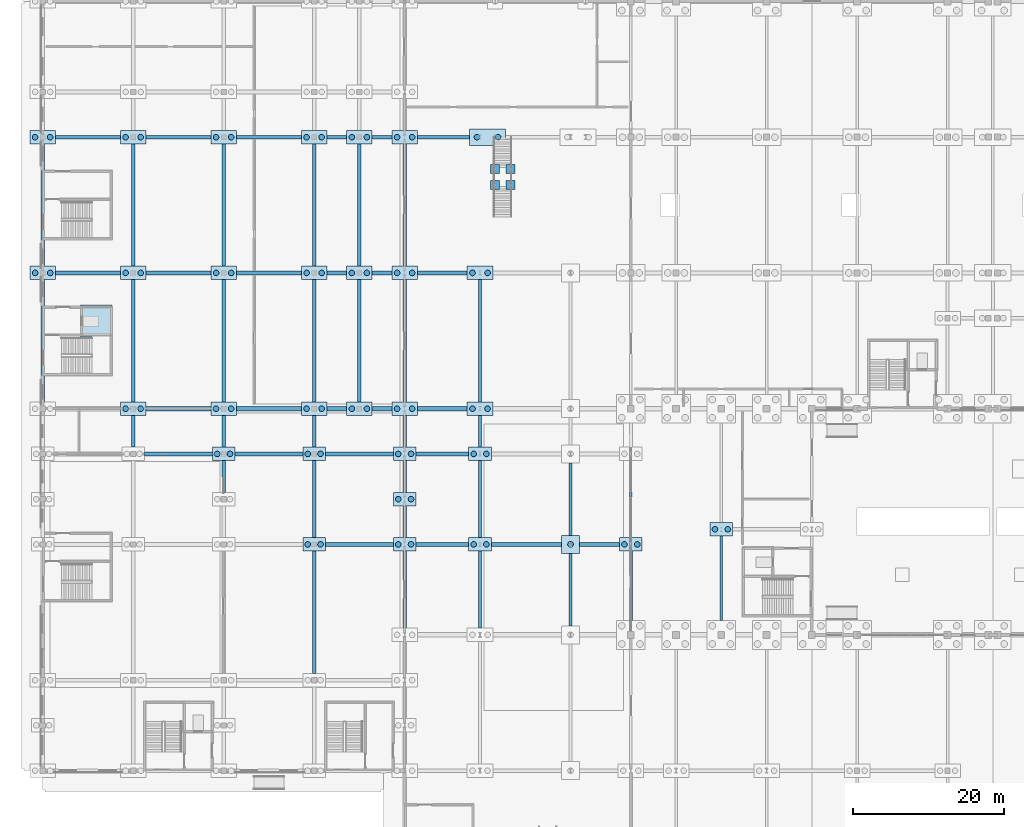
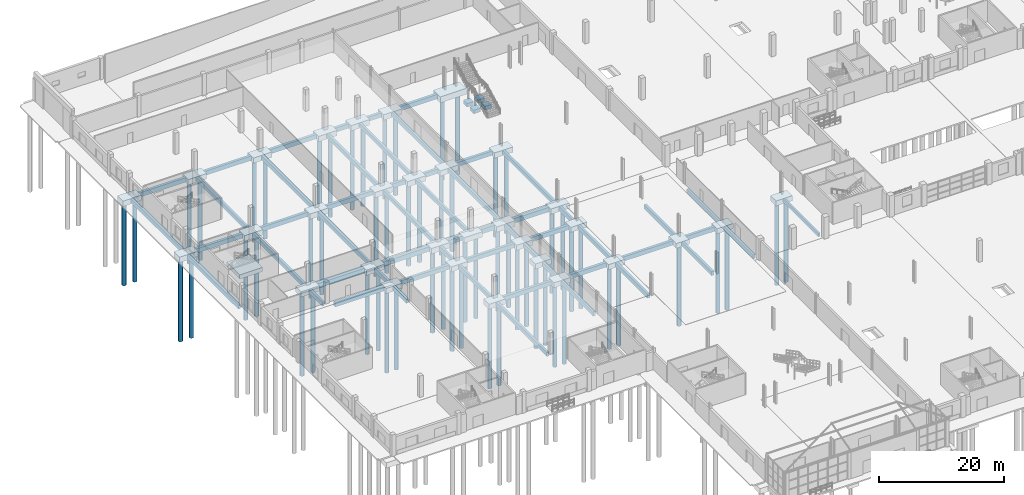
# One storey, part 3 of 77: 92 footings, 61 piles.
"""IFC4 building model written with IfcOpenShell, lengths in metres."""

from ifc_helpers import new_model, si_unit, direction, frame, origin, origin_2d, place, context, subcontext, project, spatial, rectangle, circle, extrude, material, material_profile, profile_set, type_object, element, save


model = new_model("IFC4")

# Units and contexts
model_context = context("Model", 3, precision=1e-05, world=origin(), true_north=direction((0.0, 1.0)))
body_context = subcontext(model_context, "Body", "Model", "MODEL_VIEW")
ifc_project = project(units=[si_unit("LENGTHUNIT", "METRE"), si_unit("AREAUNIT", "SQUARE_METRE"), si_unit("VOLUMEUNIT", "CUBIC_METRE"), si_unit("PLANEANGLEUNIT", "RADIAN"), si_unit("MASSUNIT", "GRAM", prefix="KILO")], contexts=[model_context])

# Site, building, storey
site_placement = place(None, origin())
site = spatial("IfcSite", under=ifc_project, at=site_placement, CompositionType="ELEMENT")
building_placement = place(site_placement, origin())
building = spatial("IfcBuilding", under=site, at=building_placement, Name="Zilviju Railside Exhibition Hall", CompositionType="ELEMENT")
storey_placement = place(building_placement, origin())
storey = spatial("IfcBuildingStorey", under=building, at=storey_placement, Name="L01", CompositionType="ELEMENT", Elevation=0.0)

# Footings
ifc_material_1 = material(Name="Concrete C35/45", Category="concrete")
footing_type_1 = type_object("IfcFootingType", Name="CAP-PC-03", PredefinedType="PILE_CAP", material=ifc_material_1)
for number, where, z_axis, x_axis, name in (
    (1, (12.0, 84.0, -1.4501953125), (0.0, 0.0, 1.0), (1.0, 0.0, 0.0), "Pile Cap FND-CAP-109"),
    (2, (24.0, 84.0, -1.4501953125), (0.0, 0.0, 1.0), (1.0, 0.0, 0.0), "Pile Cap FND-CAP-110"),
    (3, (36.0, 84.0, -1.4501953125), (0.0, 0.0, 1.0), (1.0, 0.0, 0.0), "Pile Cap FND-CAP-111"),
    (4, (42.0, 84.0, -1.4501953125), (0.0, 0.0, 1.0), (1.0, 0.0, 0.0), "Pile Cap FND-CAP-112"),
    (5, (48.0, 84.0, -1.4501953125), (0.0, 0.0, 1.0), (1.0, 0.0, 0.0), "Pile Cap FND-CAP-113"),
    (6, (58.0, 84.0, -1.4501953125), (0.0, 0.0, 1.0), (1.0, 0.0, 0.0), "Pile Cap FND-CAP-114"),
    (7, (0.0, 102.0, -1.4501953125), (0.0, 0.0, 1.0), (1.0, 0.0, 0.0), "Pile Cap FND-CAP-141"),
    (8, (12.0, 102.0, -1.4501953125), (0.0, 0.0, 1.0), (1.0, 0.0, 0.0), "Pile Cap FND-CAP-142"),
    (9, (24.0, 102.0, -1.4501953125), (0.0, 0.0, 1.0), (1.0, 0.0, 0.0), "Pile Cap FND-CAP-143"),
    (10, (36.0, 102.0, -1.4501953125), (0.0, 0.0, 1.0), (1.0, 0.0, 0.0), "Pile Cap FND-CAP-144"),
    (11, (42.0, 102.0, -1.4501953125), (0.0, 0.0, 1.0), (1.0, 0.0, 0.0), "Pile Cap FND-CAP-145"),
    (12, (48.0, 102.0, -1.4501953125), (0.0, 0.0, 1.0), (1.0, 0.0, 0.0), "Pile Cap FND-CAP-146"),
    (13, (58.0, 102.0, -1.4501953125), (0.0, 0.0, 1.0), (1.0, 0.0, 0.0), "Pile Cap FND-CAP-147"),
    (14, (0.0, 120.0, -1.4501953125), (0.0, 0.0, 1.0), (1.0, 0.0, 0.0), "Pile Cap FND-CAP-164"),
    (15, (12.0, 120.0, -1.4501953125), (0.0, 0.0, 1.0), (1.0, 0.0, 0.0), "Pile Cap FND-CAP-165"),
    (16, (24.0, 120.0, -1.4501953125), (0.0, 0.0, 1.0), (1.0, 0.0, 0.0), "Pile Cap FND-CAP-166"),
    (17, (36.0, 120.0, -1.4501953125), (0.0, 0.0, 1.0), (1.0, 0.0, 0.0), "Pile Cap FND-CAP-167"),
    (18, (42.0, 120.0, -1.4501953125), (0.0, 0.0, 1.0), (1.0, 0.0, 0.0), "Pile Cap FND-CAP-168"),
    (19, (48.0, 120.0, -1.4501953125), (0.0, 0.0, 1.0), (1.0, 0.0, 0.0), "Pile Cap FND-CAP-169"),
):
    element("IfcFooting", number, at=place(storey_placement, frame(where, z_axis=z_axis, x_axis=x_axis)), inside=storey, type_object=footing_type_1, Name=name, PredefinedType="PILE_CAP", context=body_context, shape_type="SweptSolid", body=[
        extrude(rectangle(XDim=3.39990234375, YDim=1.800048828125, at=origin_2d()), origin(), (0.0, 0.0, 1.0), 1.050048828125),
    ])
footing_type_2 = type_object("IfcFootingType", Name="CAP-PC-04", PredefinedType="PILE_CAP", material=ifc_material_1)
for number, where, z_axis, x_axis, name in (
    (20, (36.0, 66.0, -1.39990234375), (0.0, 0.0, 1.0), (1.0, 0.0, 0.0), "Pile Cap FND-CAP-090"),
    (21, (48.0, 66.0, -1.39990234375), (0.0, 0.0, 1.0), (1.0, 0.0, 0.0), "Pile Cap FND-CAP-091"),
    (22, (58.0, 66.0, -1.39990234375), (0.0, 0.0, 1.0), (1.0, 0.0, 0.0), "Pile Cap FND-CAP-092"),
    (23, (78.0, 66.0, -1.39990234375), (0.0, 0.0, 1.0), (1.0, 0.0, 0.0), "Pile Cap FND-CAP-094"),
    (24, (90.0, 68.0, -1.39990234375), (0.0, 0.0, 1.0), (1.0, 0.0, 0.0), "Pile Cap FND-CAP-095"),
    (25, (48.0, 72.0, -1.39990234375), (0.0, 0.0, 1.0), (1.0, 0.0, 0.0), "Pile Cap FND-CAP-099"),
    (26, (24.0, 78.0, -1.39990234375), (0.0, 0.0, 1.0), (1.0, 0.0, 0.0), "Pile Cap FND-CAP-102"),
    (27, (36.0, 78.0, -1.39990234375), (0.0, 0.0, 1.0), (1.0, 0.0, 0.0), "Pile Cap FND-CAP-103"),
    (28, (48.0, 78.0, -1.39990234375), (0.0, 0.0, 1.0), (1.0, 0.0, 0.0), "Pile Cap FND-CAP-104"),
    (29, (58.0, 78.0, -1.39990234375), (0.0, 0.0, 1.0), (1.0, 0.0, 0.0), "Pile Cap FND-CAP-105"),
):
    element("IfcFooting", number, at=place(storey_placement, frame(where, z_axis=z_axis, x_axis=x_axis)), inside=storey, type_object=footing_type_2, Name=name, PredefinedType="PILE_CAP", context=body_context, shape_type="SweptSolid", body=[
        extrude(rectangle(XDim=3.0, YDim=1.800048828125, at=origin_2d()), origin(), (0.0, 0.0, 1.0), 1.0),
    ])
footing_type_3 = type_object("IfcFootingType", Name="CAP-PC-07", PredefinedType="PILE_CAP", material=ifc_material_1)
footing_1_placement = place(storey_placement, frame((59.0, 120.0, -1.550048828125), z_axis=(0.0, 0.0, 1.0), x_axis=(1.0, 0.0, 0.0)))
element("IfcFooting", 30, at=footing_1_placement, inside=storey, type_object=footing_type_3, Name="Combined Pile Cap FND-CAP-170", PredefinedType="PILE_CAP", context=body_context, shape_type="SweptSolid", body=[
    extrude(rectangle(XDim=4.800048828125, YDim=2.199951171875, at=origin_2d()), origin(), (0.0, 0.0, 1.0), 1.14990234375),
])
footing_type_4 = type_object("IfcFootingType", Name="CAP-PC-08", PredefinedType="PILE_CAP", material=ifc_material_1)
footing_2_placement = place(storey_placement, frame((70.0, 66.0, -1.35009765625), z_axis=(0.0, 0.0, 1.0), x_axis=(1.0, 0.0, 0.0)))
element("IfcFooting", 31, at=footing_2_placement, inside=storey, type_object=footing_type_4, Name="Pile Cap FND-CAP-093", PredefinedType="PILE_CAP", context=body_context, shape_type="SweptSolid", body=[
    extrude(rectangle(XDim=2.39990234375, YDim=2.39990234375, at=origin_2d()), origin(), (0.0, 0.0, 1.0), 0.949951171875),
])
ifc_material_profile_1 = material_profile(ifc_material_1, rectangle(XDim=0.60009765625, YDim=0.89990234375, at=origin_2d()), Name="TIE BEAM 600x900")
ifc_profile_set_1 = profile_set([ifc_material_profile_1], Name="Concrete C35/45")
footing_type_5 = type_object("IfcFootingType", Name="GB-GB-01", PredefinedType="FOOTING_BEAM", material=ifc_profile_set_1)
for number, where, z_axis, x_axis, name in (
    (32, (13.699951171875, 84.0, -0.85009765625), (1.0, 0.0, 0.0), (0.0, 1.0, 0.0), "Ground Tie Beam GB-0091"),
    (33, (25.699951171875, 84.0, -0.85009765625), (1.0, 0.0, 0.0), (0.0, 1.0, 0.0), "Ground Tie Beam GB-0092"),
):
    element("IfcFooting", number, at=place(storey_placement, frame(where, z_axis=z_axis, x_axis=x_axis)), inside=storey, type_object=footing_type_5, Name=name, PredefinedType="FOOTING_BEAM", context=body_context, shape_type="SweptSolid", body=[
        extrude(rectangle(XDim=0.60009765625, YDim=0.89990234375, at=origin_2d()), origin(), (0.0, 0.0, 1.0), 8.60009765625),
    ])
for number, where, z_axis, x_axis, name in (
    (34, (37.699951171875, 84.0, -0.85009765625), (1.0, 0.0, 0.0), (0.0, 1.0, 0.0), "Ground Tie Beam GB-0093"),
    (35, (43.699951171875, 84.0, -0.85009765625), (1.0, 0.0, 0.0), (0.0, 1.0, 0.0), "Ground Tie Beam GB-0094"),
):
    element("IfcFooting", number, at=place(storey_placement, frame(where, z_axis=z_axis, x_axis=x_axis)), inside=storey, type_object=footing_type_5, Name=name, PredefinedType="FOOTING_BEAM", context=body_context, shape_type="SweptSolid", body=[
        extrude(rectangle(XDim=0.60009765625, YDim=0.89990234375, at=origin_2d()), origin(), (0.0, 0.0, 1.0), 2.60009765625),
    ])
footing_3_placement = place(storey_placement, frame((49.699951171875, 84.0, -0.85009765625), z_axis=(1.0, 0.0, 0.0), x_axis=(0.0, 1.0, 0.0)))
element("IfcFooting", 36, at=footing_3_placement, inside=storey, type_object=footing_type_5, Name="Ground Tie Beam GB-0095", PredefinedType="FOOTING_BEAM", context=body_context, shape_type="SweptSolid", body=[
    extrude(rectangle(XDim=0.60009765625, YDim=0.89990234375, at=origin_2d()), origin(), (0.0, 0.0, 1.0), 6.60009765625),
])
ifc_material_profile_2 = material_profile(ifc_material_1, rectangle(XDim=0.5, YDim=0.85009765625, at=origin_2d()), Name="TIE BEAM 500x850")
ifc_profile_set_2 = profile_set([ifc_material_profile_2], Name="Concrete C35/45")
footing_type_6 = type_object("IfcFootingType", Name="GB-GB-02", PredefinedType="FOOTING_BEAM", material=ifc_profile_set_2)
footing_4_placement = place(storey_placement, frame((37.5, 66.0, -0.824951171875), z_axis=(1.0, 0.0, 0.0), x_axis=(0.0, 1.0, 0.0)))
element("IfcFooting", 37, at=footing_4_placement, inside=storey, type_object=footing_type_6, Name="Ground Tie Beam GB-0078", PredefinedType="FOOTING_BEAM", context=body_context, shape_type="SweptSolid", body=[
    extrude(rectangle(XDim=0.5, YDim=0.85009765625, at=origin_2d()), origin(), (0.0, 0.0, 1.0), 9.0),
])
footing_5_placement = place(storey_placement, frame((49.5, 66.0, -0.824951171875), z_axis=(1.0, 0.0, 0.0), x_axis=(0.0, 1.0, 0.0)))
element("IfcFooting", 38, at=footing_5_placement, inside=storey, type_object=footing_type_6, Name="Ground Tie Beam GB-0079", PredefinedType="FOOTING_BEAM", context=body_context, shape_type="SweptSolid", body=[
    extrude(rectangle(XDim=0.5, YDim=0.85009765625, at=origin_2d()), origin(), (0.0, 0.0, 1.0), 7.0),
])
footing_6_placement = place(storey_placement, frame((59.5, 66.0, -0.824951171875), z_axis=(1.0, 0.0, 0.0), x_axis=(0.0, 1.0, 0.0)))
element("IfcFooting", 39, at=footing_6_placement, inside=storey, type_object=footing_type_6, Name="Ground Tie Beam GB-0080", PredefinedType="FOOTING_BEAM", context=body_context, shape_type="SweptSolid", body=[
    extrude(rectangle(XDim=0.5, YDim=0.85009765625, at=origin_2d()), origin(), (0.0, 0.0, 1.0), 9.300048828125),
])
footing_7_placement = place(storey_placement, frame((71.199951171875, 66.0, -0.824951171875), z_axis=(1.0, 0.0, 0.0), x_axis=(0.0, 1.0, 0.0)))
element("IfcFooting", 40, at=footing_7_placement, inside=storey, type_object=footing_type_6, Name="Ground Tie Beam GB-0081", PredefinedType="FOOTING_BEAM", context=body_context, shape_type="SweptSolid", body=[
    extrude(rectangle(XDim=0.5, YDim=0.85009765625, at=origin_2d()), origin(), (0.0, 0.0, 1.0), 5.300048828125),
])
for number, where, z_axis, x_axis, name in (
    (41, (13.5, 78.0, -0.824951171875), (1.0, 0.0, 0.0), (0.0, 1.0, 0.0), "Ground Tie Beam GB-0084"),
    (42, (25.5, 78.0, -0.824951171875), (1.0, 0.0, 0.0), (0.0, 1.0, 0.0), "Ground Tie Beam GB-0085"),
    (43, (37.5, 78.0, -0.824951171875), (1.0, 0.0, 0.0), (0.0, 1.0, 0.0), "Ground Tie Beam GB-0086"),
):
    element("IfcFooting", number, at=place(storey_placement, frame(where, z_axis=z_axis, x_axis=x_axis)), inside=storey, type_object=footing_type_6, Name=name, PredefinedType="FOOTING_BEAM", context=body_context, shape_type="SweptSolid", body=[
        extrude(rectangle(XDim=0.5, YDim=0.85009765625, at=origin_2d()), origin(), (0.0, 0.0, 1.0), 9.0),
    ])
footing_8_placement = place(storey_placement, frame((49.5, 78.0, -0.824951171875), z_axis=(1.0, 0.0, 0.0), x_axis=(0.0, 1.0, 0.0)))
element("IfcFooting", 44, at=footing_8_placement, inside=storey, type_object=footing_type_6, Name="Ground Tie Beam GB-0087", PredefinedType="FOOTING_BEAM", context=body_context, shape_type="SweptSolid", body=[
    extrude(rectangle(XDim=0.5, YDim=0.85009765625, at=origin_2d()), origin(), (0.0, 0.0, 1.0), 7.0),
])
for number, where, z_axis, x_axis, name in (
    (45, (1.699951171875, 102.0, -0.824951171875), (1.0, 0.0, 0.0), (0.0, 1.0, 0.0), "Ground Tie Beam GB-0121"),
    (46, (13.699951171875, 102.0, -0.824951171875), (1.0, 0.0, 0.0), (0.0, 1.0, 0.0), "Ground Tie Beam GB-0122"),
    (47, (25.699951171875, 102.0, -0.824951171875), (1.0, 0.0, 0.0), (0.0, 1.0, 0.0), "Ground Tie Beam GB-0123"),
):
    element("IfcFooting", number, at=place(storey_placement, frame(where, z_axis=z_axis, x_axis=x_axis)), inside=storey, type_object=footing_type_6, Name=name, PredefinedType="FOOTING_BEAM", context=body_context, shape_type="SweptSolid", body=[
        extrude(rectangle(XDim=0.5, YDim=0.85009765625, at=origin_2d()), origin(), (0.0, 0.0, 1.0), 8.60009765625),
    ])
for number, where, z_axis, x_axis, name in (
    (48, (37.699951171875, 102.0, -0.824951171875), (1.0, 0.0, 0.0), (0.0, 1.0, 0.0), "Ground Tie Beam GB-0124"),
    (49, (43.699951171875, 102.0, -0.824951171875), (1.0, 0.0, 0.0), (0.0, 1.0, 0.0), "Ground Tie Beam GB-0125"),
):
    element("IfcFooting", number, at=place(storey_placement, frame(where, z_axis=z_axis, x_axis=x_axis)), inside=storey, type_object=footing_type_6, Name=name, PredefinedType="FOOTING_BEAM", context=body_context, shape_type="SweptSolid", body=[
        extrude(rectangle(XDim=0.5, YDim=0.85009765625, at=origin_2d()), origin(), (0.0, 0.0, 1.0), 2.60009765625),
    ])
footing_9_placement = place(storey_placement, frame((49.699951171875, 102.0, -0.824951171875), z_axis=(1.0, 0.0, 0.0), x_axis=(0.0, 1.0, 0.0)))
element("IfcFooting", 50, at=footing_9_placement, inside=storey, type_object=footing_type_6, Name="Ground Tie Beam GB-0126", PredefinedType="FOOTING_BEAM", context=body_context, shape_type="SweptSolid", body=[
    extrude(rectangle(XDim=0.5, YDim=0.85009765625, at=origin_2d()), origin(), (0.0, 0.0, 1.0), 6.60009765625),
])
for number, where, z_axis, x_axis, name in (
    (51, (1.699951171875, 120.0, -0.824951171875), (1.0, 0.0, 0.0), (0.0, 1.0, 0.0), "Ground Tie Beam GB-0143"),
    (52, (13.699951171875, 120.0, -0.824951171875), (1.0, 0.0, 0.0), (0.0, 1.0, 0.0), "Ground Tie Beam GB-0144"),
    (53, (25.699951171875, 120.0, -0.824951171875), (1.0, 0.0, 0.0), (0.0, 1.0, 0.0), "Ground Tie Beam GB-0145"),
):
    element("IfcFooting", number, at=place(storey_placement, frame(where, z_axis=z_axis, x_axis=x_axis)), inside=storey, type_object=footing_type_6, Name=name, PredefinedType="FOOTING_BEAM", context=body_context, shape_type="SweptSolid", body=[
        extrude(rectangle(XDim=0.5, YDim=0.85009765625, at=origin_2d()), origin(), (0.0, 0.0, 1.0), 8.60009765625),
    ])
for number, where, z_axis, x_axis, name in (
    (54, (37.699951171875, 120.0, -0.824951171875), (1.0, 0.0, 0.0), (0.0, 1.0, 0.0), "Ground Tie Beam GB-0146"),
    (55, (43.699951171875, 120.0, -0.824951171875), (1.0, 0.0, 0.0), (0.0, 1.0, 0.0), "Ground Tie Beam GB-0147"),
):
    element("IfcFooting", number, at=place(storey_placement, frame(where, z_axis=z_axis, x_axis=x_axis)), inside=storey, type_object=footing_type_6, Name=name, PredefinedType="FOOTING_BEAM", context=body_context, shape_type="SweptSolid", body=[
        extrude(rectangle(XDim=0.5, YDim=0.85009765625, at=origin_2d()), origin(), (0.0, 0.0, 1.0), 2.60009765625),
    ])
footing_10_placement = place(storey_placement, frame((49.699951171875, 120.0, -0.824951171875), z_axis=(1.0, 0.0, 0.0), x_axis=(0.0, 1.0, 0.0)))
element("IfcFooting", 56, at=footing_10_placement, inside=storey, type_object=footing_type_6, Name="Ground Tie Beam GB-0148", PredefinedType="FOOTING_BEAM", context=body_context, shape_type="SweptSolid", body=[
    extrude(rectangle(XDim=0.5, YDim=0.85009765625, at=origin_2d()), origin(), (0.0, 0.0, 1.0), 6.900146484375),
])
ifc_material_profile_3 = material_profile(ifc_material_1, rectangle(XDim=0.449951171875, YDim=0.800048828125, at=origin_2d()), Name="TIE BEAM 450x800")
ifc_profile_set_3 = profile_set([ifc_material_profile_3], Name="Concrete C35/45")
footing_type_7 = type_object("IfcFootingType", Name="GB-GB-03", PredefinedType="FOOTING_BEAM", material=ifc_profile_set_3)
for number, where, z_axis, x_axis, name in (
    (57, (0.0, 84.89990234375, -0.800048828125), (0.0, 1.0, 0.0), (-1.0, 0.0, 0.0), "Ground Tie Beam GB-0215"),
    (58, (0.0, 102.89990234375, -0.800048828125), (0.0, 1.0, 0.0), (-1.0, 0.0, 0.0), "Ground Tie Beam GB-0216"),
):
    element("IfcFooting", number, at=place(storey_placement, frame(where, z_axis=z_axis, x_axis=x_axis)), inside=storey, type_object=footing_type_7, Name=name, PredefinedType="FOOTING_BEAM", context=body_context, shape_type="SweptSolid", body=[
        extrude(rectangle(XDim=0.449951171875, YDim=0.800048828125, at=origin_2d()), origin(), (0.0, 0.0, 1.0), 16.2001953125),
    ])
footing_11_placement = place(storey_placement, frame((12.0, 78.89990234375, -0.800048828125), z_axis=(0.0, 1.0, 0.0), x_axis=(-1.0, 0.0, 0.0)))
element("IfcFooting", 59, at=footing_11_placement, inside=storey, type_object=footing_type_7, Name="Ground Tie Beam GB-0223", PredefinedType="FOOTING_BEAM", context=body_context, shape_type="SweptSolid", body=[
    extrude(rectangle(XDim=0.449951171875, YDim=0.800048828125, at=origin_2d()), origin(), (0.0, 0.0, 1.0), 4.2001953125),
])
for number, where, z_axis, x_axis, name in (
    (60, (12.0, 84.89990234375, -0.800048828125), (0.0, 1.0, 0.0), (-1.0, 0.0, 0.0), "Ground Tie Beam GB-0224"),
    (61, (12.0, 102.89990234375, -0.800048828125), (0.0, 1.0, 0.0), (-1.0, 0.0, 0.0), "Ground Tie Beam GB-0225"),
):
    element("IfcFooting", number, at=place(storey_placement, frame(where, z_axis=z_axis, x_axis=x_axis)), inside=storey, type_object=footing_type_7, Name=name, PredefinedType="FOOTING_BEAM", context=body_context, shape_type="SweptSolid", body=[
        extrude(rectangle(XDim=0.449951171875, YDim=0.800048828125, at=origin_2d()), origin(), (0.0, 0.0, 1.0), 16.2001953125),
    ])
for number, where, z_axis, x_axis, name in (
    (62, (24.0, 72.89990234375, -0.800048828125), (0.0, 1.0, 0.0), (-1.0, 0.0, 0.0), "Ground Tie Beam GB-0233"),
    (63, (24.0, 78.89990234375, -0.800048828125), (0.0, 1.0, 0.0), (-1.0, 0.0, 0.0), "Ground Tie Beam GB-0234"),
):
    element("IfcFooting", number, at=place(storey_placement, frame(where, z_axis=z_axis, x_axis=x_axis)), inside=storey, type_object=footing_type_7, Name=name, PredefinedType="FOOTING_BEAM", context=body_context, shape_type="SweptSolid", body=[
        extrude(rectangle(XDim=0.449951171875, YDim=0.800048828125, at=origin_2d()), origin(), (0.0, 0.0, 1.0), 4.2001953125),
    ])
for number, where, z_axis, x_axis, name in (
    (64, (24.0, 84.89990234375, -0.800048828125), (0.0, 1.0, 0.0), (-1.0, 0.0, 0.0), "Ground Tie Beam GB-0235"),
    (65, (24.0, 102.89990234375, -0.800048828125), (0.0, 1.0, 0.0), (-1.0, 0.0, 0.0), "Ground Tie Beam GB-0236"),
    (66, (36.0, 48.89990234375, -0.800048828125), (0.0, 1.0, 0.0), (-1.0, 0.0, 0.0), "Ground Tie Beam GB-0241"),
):
    element("IfcFooting", number, at=place(storey_placement, frame(where, z_axis=z_axis, x_axis=x_axis)), inside=storey, type_object=footing_type_7, Name=name, PredefinedType="FOOTING_BEAM", context=body_context, shape_type="SweptSolid", body=[
        extrude(rectangle(XDim=0.449951171875, YDim=0.800048828125, at=origin_2d()), origin(), (0.0, 0.0, 1.0), 16.2001953125),
    ])
footing_12_placement = place(storey_placement, frame((36.0, 66.89990234375, -0.800048828125), z_axis=(0.0, 1.0, 0.0), x_axis=(-1.0, 0.0, 0.0)))
element("IfcFooting", 67, at=footing_12_placement, inside=storey, type_object=footing_type_7, Name="Ground Tie Beam GB-0242", PredefinedType="FOOTING_BEAM", context=body_context, shape_type="SweptSolid", body=[
    extrude(rectangle(XDim=0.449951171875, YDim=0.800048828125, at=origin_2d()), origin(), (0.0, 0.0, 1.0), 10.2001953125),
])
footing_13_placement = place(storey_placement, frame((36.0, 78.89990234375, -0.800048828125), z_axis=(0.0, 1.0, 0.0), x_axis=(-1.0, 0.0, 0.0)))
element("IfcFooting", 68, at=footing_13_placement, inside=storey, type_object=footing_type_7, Name="Ground Tie Beam GB-0243", PredefinedType="FOOTING_BEAM", context=body_context, shape_type="SweptSolid", body=[
    extrude(rectangle(XDim=0.449951171875, YDim=0.800048828125, at=origin_2d()), origin(), (0.0, 0.0, 1.0), 4.2001953125),
])
for number, where, z_axis, x_axis, name in (
    (69, (36.0, 84.89990234375, -0.800048828125), (0.0, 1.0, 0.0), (-1.0, 0.0, 0.0), "Ground Tie Beam GB-0244"),
    (70, (36.0, 102.89990234375, -0.800048828125), (0.0, 1.0, 0.0), (-1.0, 0.0, 0.0), "Ground Tie Beam GB-0245"),
    (71, (42.0, 84.89990234375, -0.800048828125), (0.0, 1.0, 0.0), (-1.0, 0.0, 0.0), "Ground Tie Beam GB-0249"),
    (72, (42.0, 102.89990234375, -0.800048828125), (0.0, 1.0, 0.0), (-1.0, 0.0, 0.0), "Ground Tie Beam GB-0250"),
):
    element("IfcFooting", number, at=place(storey_placement, frame(where, z_axis=z_axis, x_axis=x_axis)), inside=storey, type_object=footing_type_7, Name=name, PredefinedType="FOOTING_BEAM", context=body_context, shape_type="SweptSolid", body=[
        extrude(rectangle(XDim=0.449951171875, YDim=0.800048828125, at=origin_2d()), origin(), (0.0, 0.0, 1.0), 16.2001953125),
    ])
footing_14_placement = place(storey_placement, frame((48.0, 54.89990234375, -0.800048828125), z_axis=(0.0, 1.0, 0.0), x_axis=(-1.0, 0.0, 0.0)))
element("IfcFooting", 73, at=footing_14_placement, inside=storey, type_object=footing_type_7, Name="Ground Tie Beam GB-0259", PredefinedType="FOOTING_BEAM", context=body_context, shape_type="SweptSolid", body=[
    extrude(rectangle(XDim=0.449951171875, YDim=0.800048828125, at=origin_2d()), origin(), (0.0, 0.0, 1.0), 10.2001953125),
])
for number, where, z_axis, x_axis, name in (
    (74, (48.0, 66.89990234375, -0.800048828125), (0.0, 1.0, 0.0), (-1.0, 0.0, 0.0), "Ground Tie Beam GB-0260"),
    (75, (48.0, 72.89990234375, -0.800048828125), (0.0, 1.0, 0.0), (-1.0, 0.0, 0.0), "Ground Tie Beam GB-0261"),
    (76, (48.0, 78.89990234375, -0.800048828125), (0.0, 1.0, 0.0), (-1.0, 0.0, 0.0), "Ground Tie Beam GB-0262"),
):
    element("IfcFooting", number, at=place(storey_placement, frame(where, z_axis=z_axis, x_axis=x_axis)), inside=storey, type_object=footing_type_7, Name=name, PredefinedType="FOOTING_BEAM", context=body_context, shape_type="SweptSolid", body=[
        extrude(rectangle(XDim=0.449951171875, YDim=0.800048828125, at=origin_2d()), origin(), (0.0, 0.0, 1.0), 4.2001953125),
    ])
for number, where, z_axis, x_axis, name in (
    (77, (48.0, 84.89990234375, -0.800048828125), (0.0, 1.0, 0.0), (-1.0, 0.0, 0.0), "Ground Tie Beam GB-0263"),
    (78, (48.0, 102.89990234375, -0.800048828125), (0.0, 1.0, 0.0), (-1.0, 0.0, 0.0), "Ground Tie Beam GB-0264"),
):
    element("IfcFooting", number, at=place(storey_placement, frame(where, z_axis=z_axis, x_axis=x_axis)), inside=storey, type_object=footing_type_7, Name=name, PredefinedType="FOOTING_BEAM", context=body_context, shape_type="SweptSolid", body=[
        extrude(rectangle(XDim=0.449951171875, YDim=0.800048828125, at=origin_2d()), origin(), (0.0, 0.0, 1.0), 16.2001953125),
    ])
for number, where, z_axis, x_axis, name in (
    (79, (58.0, 54.89990234375, -0.800048828125), (0.0, 1.0, 0.0), (-1.0, 0.0, 0.0), "Ground Tie Beam GB-0269"),
    (80, (58.0, 66.89990234375, -0.800048828125), (0.0, 1.0, 0.0), (-1.0, 0.0, 0.0), "Ground Tie Beam GB-0270"),
):
    element("IfcFooting", number, at=place(storey_placement, frame(where, z_axis=z_axis, x_axis=x_axis)), inside=storey, type_object=footing_type_7, Name=name, PredefinedType="FOOTING_BEAM", context=body_context, shape_type="SweptSolid", body=[
        extrude(rectangle(XDim=0.449951171875, YDim=0.800048828125, at=origin_2d()), origin(), (0.0, 0.0, 1.0), 10.2001953125),
    ])
footing_15_placement = place(storey_placement, frame((58.0, 78.89990234375, -0.800048828125), z_axis=(0.0, 1.0, 0.0), x_axis=(-1.0, 0.0, 0.0)))
element("IfcFooting", 81, at=footing_15_placement, inside=storey, type_object=footing_type_7, Name="Ground Tie Beam GB-0271", PredefinedType="FOOTING_BEAM", context=body_context, shape_type="SweptSolid", body=[
    extrude(rectangle(XDim=0.449951171875, YDim=0.800048828125, at=origin_2d()), origin(), (0.0, 0.0, 1.0), 4.2001953125),
])
footing_16_placement = place(storey_placement, frame((58.0, 84.89990234375, -0.800048828125), z_axis=(0.0, 1.0, 0.0), x_axis=(-1.0, 0.0, 0.0)))
element("IfcFooting", 82, at=footing_16_placement, inside=storey, type_object=footing_type_7, Name="Ground Tie Beam GB-0272", PredefinedType="FOOTING_BEAM", context=body_context, shape_type="SweptSolid", body=[
    extrude(rectangle(XDim=0.449951171875, YDim=0.800048828125, at=origin_2d()), origin(), (0.0, 0.0, 1.0), 16.2001953125),
])
for number, where, z_axis, x_axis, name in (
    (83, (70.0, 55.199951171875, -0.800048828125), (0.0, 1.0, 0.0), (-1.0, 0.0, 0.0), "Ground Tie Beam GB-0276"),
    (84, (70.0, 67.199951171875, -0.800048828125), (0.0, 1.0, 0.0), (-1.0, 0.0, 0.0), "Ground Tie Beam GB-0277"),
):
    element("IfcFooting", number, at=place(storey_placement, frame(where, z_axis=z_axis, x_axis=x_axis)), inside=storey, type_object=footing_type_7, Name=name, PredefinedType="FOOTING_BEAM", context=body_context, shape_type="SweptSolid", body=[
        extrude(rectangle(XDim=0.449951171875, YDim=0.800048828125, at=origin_2d()), origin(), (0.0, 0.0, 1.0), 9.60009765625),
    ])
ifc_material_profile_4 = material_profile(ifc_material_1, rectangle(XDim=0.39990234375, YDim=0.75, at=origin_2d()), Name="TIE BEAM 400x750")
ifc_profile_set_4 = profile_set([ifc_material_profile_4], Name="Concrete C35/45")
footing_type_8 = type_object("IfcFootingType", Name="GB-GB-04", PredefinedType="FOOTING_BEAM", material=ifc_profile_set_4)
footing_17_placement = place(storey_placement, frame((78.0, 55.89990234375, -0.77490234375), z_axis=(0.0, 1.0, 0.0), x_axis=(-1.0, 0.0, 0.0)))
element("IfcFooting", 85, at=footing_17_placement, inside=storey, type_object=footing_type_8, Name="Ground Tie Beam GB-0286", PredefinedType="FOOTING_BEAM", context=body_context, shape_type="SweptSolid", body=[
    extrude(rectangle(XDim=0.39990234375, YDim=0.75, at=origin_2d()), origin(), (0.0, 0.0, 1.0), 9.2001953125),
])
ifc_material_profile_5 = material_profile(ifc_material_1, rectangle(XDim=0.35009765625, YDim=0.64990234375, at=origin_2d()), Name="TIE BEAM 350x650")
ifc_profile_set_5 = profile_set([ifc_material_profile_5], Name="Concrete C35/45")
footing_type_9 = type_object("IfcFootingType", Name="GB-GB-06", PredefinedType="FOOTING_BEAM", material=ifc_profile_set_5)
footing_18_placement = place(storey_placement, frame((78.0, 66.89990234375, -0.72509765625), z_axis=(0.0, 1.0, 0.0), x_axis=(-1.0, 0.0, 0.0)))
element("IfcFooting", 86, at=footing_18_placement, inside=storey, type_object=footing_type_9, Name="Ground Tie Beam GB-0287", PredefinedType="FOOTING_BEAM", context=body_context, shape_type="SweptSolid", body=[
    extrude(rectangle(XDim=0.35009765625, YDim=0.64990234375, at=origin_2d()), origin(), (0.0, 0.0, 1.0), 10.2001953125),
])
footing_19_placement = place(storey_placement, frame((90.0, 55.89990234375, -0.72509765625), z_axis=(0.0, 1.0, 0.0), x_axis=(-1.0, 0.0, 0.0)))
element("IfcFooting", 87, at=footing_19_placement, inside=storey, type_object=footing_type_9, Name="Ground Tie Beam GB-0299", PredefinedType="FOOTING_BEAM", context=body_context, shape_type="SweptSolid", body=[
    extrude(rectangle(XDim=0.35009765625, YDim=0.64990234375, at=origin_2d()), origin(), (0.0, 0.0, 1.0), 11.2001953125),
])
ifc_material_2 = material(Name="Concrete C40/50", Category="concrete")
footing_type_10 = type_object("IfcFootingType", Name="PAD-PF-01", PredefinedType="PAD_FOOTING", material=ifc_material_2)
footing_20_placement = place(storey_placement, frame((7.125, 95.625, -2.39990234375), z_axis=(0.0, 0.0, 1.0), x_axis=(1.0, 0.0, 0.0)))
element("IfcFooting", 88, at=footing_20_placement, inside=storey, type_object=footing_type_10, Name="Lift Pit Foundation Pad LP-06", PredefinedType="PAD_FOOTING", context=body_context, shape_type="SweptSolid", body=[
    extrude(rectangle(XDim=4.199951171875, YDim=4.199951171875, at=origin_2d()), origin(), (0.0, 0.0, 1.0), 0.800048828125),
])
footing_type_11 = type_object("IfcFootingType", Name="PAD-PF-11", PredefinedType="PAD_FOOTING", material=ifc_material_1)
for number, where, z_axis, x_axis, name in (
    (89, (59.97998046875, 113.64990234375, -1.1201171875), (0.0, 0.0, 1.0), (1.0, 0.0, 0.0), "Feature Stair ST18 Landing Pad 1"),
    (90, (62.02001953125, 113.64990234375, -1.1201171875), (0.0, 0.0, 1.0), (1.0, 0.0, 0.0), "Feature Stair ST18 Landing Pad 2"),
    (91, (59.97998046875, 115.7900390625, -1.1201171875), (0.0, 0.0, 1.0), (1.0, 0.0, 0.0), "Feature Stair ST18 Landing Pad 3"),
    (92, (62.02001953125, 115.7900390625, -1.1201171875), (0.0, 0.0, 1.0), (1.0, 0.0, 0.0), "Feature Stair ST18 Landing Pad 4"),
):
    element("IfcFooting", number, at=place(storey_placement, frame(where, z_axis=z_axis, x_axis=x_axis)), inside=storey, type_object=footing_type_11, Name=name, PredefinedType="PAD_FOOTING", context=body_context, shape_type="SweptSolid", body=[
        extrude(rectangle(XDim=1.199951171875, YDim=1.199951171875, at=origin_2d()), origin(), (0.0, 0.0, 1.0), 0.699951171875),
    ])

# Piles
ifc_material_profile_6 = material_profile(ifc_material_1, circle(Radius=0.375, at=origin_2d()), Name="CFA PILE D750")
ifc_profile_set_6 = profile_set([ifc_material_profile_6], Name="Concrete C35/45")
pile_type = type_object("IfcPileType", Name="PILE-PL-750", PredefinedType="BORED", material=ifc_profile_set_6)
for number, where, z_axis, x_axis, name in (
    (93, (35.14990234375, 66.0, -0.5), (0.0, 0.0, -1.0), (1.0, 0.0, 0.0), "Bored CFA Pile P-0235"),
    (94, (36.85009765625, 66.0, -0.5), (0.0, 0.0, -1.0), (1.0, 0.0, 0.0), "Bored CFA Pile P-0236"),
    (95, (47.14990234375, 66.0, -0.5), (0.0, 0.0, -1.0), (1.0, 0.0, 0.0), "Bored CFA Pile P-0237"),
    (96, (48.85009765625, 66.0, -0.5), (0.0, 0.0, -1.0), (1.0, 0.0, 0.0), "Bored CFA Pile P-0238"),
    (97, (57.14990234375, 66.0, -0.5), (0.0, 0.0, -1.0), (1.0, 0.0, 0.0), "Bored CFA Pile P-0239"),
    (98, (58.85009765625, 66.0, -0.5), (0.0, 0.0, -1.0), (1.0, 0.0, 0.0), "Bored CFA Pile P-0240"),
    (99, (70.0, 66.0, -0.5), (0.0, 0.0, -1.0), (1.0, 0.0, 0.0), "Bored CFA Pile P-0241"),
    (100, (77.14990234375, 66.0, -0.5), (0.0, 0.0, -1.0), (1.0, 0.0, 0.0), "Bored CFA Pile P-0242"),
    (101, (78.85009765625, 66.0, -0.5), (0.0, 0.0, -1.0), (1.0, 0.0, 0.0), "Bored CFA Pile P-0243"),
    (102, (89.14990234375, 68.0, -0.5), (0.0, 0.0, -1.0), (1.0, 0.0, 0.0), "Bored CFA Pile P-0244"),
    (103, (90.85009765625, 68.0, -0.5), (0.0, 0.0, -1.0), (1.0, 0.0, 0.0), "Bored CFA Pile P-0245"),
    (104, (47.14990234375, 72.0, -0.5), (0.0, 0.0, -1.0), (1.0, 0.0, 0.0), "Bored CFA Pile P-0252"),
    (105, (48.85009765625, 72.0, -0.5), (0.0, 0.0, -1.0), (1.0, 0.0, 0.0), "Bored CFA Pile P-0253"),
    (106, (23.14990234375, 78.0, -0.5), (0.0, 0.0, -1.0), (1.0, 0.0, 0.0), "Bored CFA Pile P-0258"),
    (107, (24.85009765625, 78.0, -0.5), (0.0, 0.0, -1.0), (1.0, 0.0, 0.0), "Bored CFA Pile P-0259"),
    (108, (35.14990234375, 78.0, -0.5), (0.0, 0.0, -1.0), (1.0, 0.0, 0.0), "Bored CFA Pile P-0260"),
    (109, (36.85009765625, 78.0, -0.5), (0.0, 0.0, -1.0), (1.0, 0.0, 0.0), "Bored CFA Pile P-0261"),
    (110, (47.14990234375, 78.0, -0.5), (0.0, 0.0, -1.0), (1.0, 0.0, 0.0), "Bored CFA Pile P-0262"),
    (111, (48.85009765625, 78.0, -0.5), (0.0, 0.0, -1.0), (1.0, 0.0, 0.0), "Bored CFA Pile P-0263"),
    (112, (57.14990234375, 78.0, -0.5), (0.0, 0.0, -1.0), (1.0, 0.0, 0.0), "Bored CFA Pile P-0264"),
    (113, (58.85009765625, 78.0, -0.5), (0.0, 0.0, -1.0), (1.0, 0.0, 0.0), "Bored CFA Pile P-0265"),
    (114, (11.0, 84.0, -0.5), (0.0, 0.0, -1.0), (1.0, 0.0, 0.0), "Bored CFA Pile P-0271"),
    (115, (13.0, 84.0, -0.5), (0.0, 0.0, -1.0), (1.0, 0.0, 0.0), "Bored CFA Pile P-0272"),
    (116, (23.0, 84.0, -0.5), (0.0, 0.0, -1.0), (1.0, 0.0, 0.0), "Bored CFA Pile P-0273"),
    (117, (25.0, 84.0, -0.5), (0.0, 0.0, -1.0), (1.0, 0.0, 0.0), "Bored CFA Pile P-0274"),
    (118, (35.0, 84.0, -0.5), (0.0, 0.0, -1.0), (1.0, 0.0, 0.0), "Bored CFA Pile P-0275"),
    (119, (37.0, 84.0, -0.5), (0.0, 0.0, -1.0), (1.0, 0.0, 0.0), "Bored CFA Pile P-0276"),
    (120, (41.0, 84.0, -0.5), (0.0, 0.0, -1.0), (1.0, 0.0, 0.0), "Bored CFA Pile P-0277"),
    (121, (43.0, 84.0, -0.5), (0.0, 0.0, -1.0), (1.0, 0.0, 0.0), "Bored CFA Pile P-0278"),
    (122, (47.0, 84.0, -0.5), (0.0, 0.0, -1.0), (1.0, 0.0, 0.0), "Bored CFA Pile P-0279"),
    (123, (49.0, 84.0, -0.5), (0.0, 0.0, -1.0), (1.0, 0.0, 0.0), "Bored CFA Pile P-0280"),
    (124, (57.0, 84.0, -0.5), (0.0, 0.0, -1.0), (1.0, 0.0, 0.0), "Bored CFA Pile P-0281"),
    (125, (59.0, 84.0, -0.5), (0.0, 0.0, -1.0), (1.0, 0.0, 0.0), "Bored CFA Pile P-0282"),
    (126, (-1.0, 102.0, -0.5), (0.0, 0.0, -1.0), (1.0, 0.0, 0.0), "Bored CFA Pile P-0368"),
    (127, (1.0, 102.0, -0.5), (0.0, 0.0, -1.0), (1.0, 0.0, 0.0), "Bored CFA Pile P-0369"),
    (128, (11.0, 102.0, -0.5), (0.0, 0.0, -1.0), (1.0, 0.0, 0.0), "Bored CFA Pile P-0370"),
    (129, (13.0, 102.0, -0.5), (0.0, 0.0, -1.0), (1.0, 0.0, 0.0), "Bored CFA Pile P-0371"),
    (130, (23.0, 102.0, -0.5), (0.0, 0.0, -1.0), (1.0, 0.0, 0.0), "Bored CFA Pile P-0372"),
    (131, (25.0, 102.0, -0.5), (0.0, 0.0, -1.0), (1.0, 0.0, 0.0), "Bored CFA Pile P-0373"),
    (132, (35.0, 102.0, -0.5), (0.0, 0.0, -1.0), (1.0, 0.0, 0.0), "Bored CFA Pile P-0374"),
    (133, (37.0, 102.0, -0.5), (0.0, 0.0, -1.0), (1.0, 0.0, 0.0), "Bored CFA Pile P-0375"),
    (134, (41.0, 102.0, -0.5), (0.0, 0.0, -1.0), (1.0, 0.0, 0.0), "Bored CFA Pile P-0376"),
    (135, (43.0, 102.0, -0.5), (0.0, 0.0, -1.0), (1.0, 0.0, 0.0), "Bored CFA Pile P-0377"),
    (136, (47.0, 102.0, -0.5), (0.0, 0.0, -1.0), (1.0, 0.0, 0.0), "Bored CFA Pile P-0378"),
    (137, (49.0, 102.0, -0.5), (0.0, 0.0, -1.0), (1.0, 0.0, 0.0), "Bored CFA Pile P-0379"),
    (138, (57.0, 102.0, -0.5), (0.0, 0.0, -1.0), (1.0, 0.0, 0.0), "Bored CFA Pile P-0380"),
    (139, (59.0, 102.0, -0.5), (0.0, 0.0, -1.0), (1.0, 0.0, 0.0), "Bored CFA Pile P-0381"),
    (140, (-1.0, 120.0, -0.5), (0.0, 0.0, -1.0), (1.0, 0.0, 0.0), "Bored CFA Pile P-0413"),
    (141, (1.0, 120.0, -0.5), (0.0, 0.0, -1.0), (1.0, 0.0, 0.0), "Bored CFA Pile P-0414"),
    (142, (11.0, 120.0, -0.5), (0.0, 0.0, -1.0), (1.0, 0.0, 0.0), "Bored CFA Pile P-0415"),
    (143, (13.0, 120.0, -0.5), (0.0, 0.0, -1.0), (1.0, 0.0, 0.0), "Bored CFA Pile P-0416"),
    (144, (23.0, 120.0, -0.5), (0.0, 0.0, -1.0), (1.0, 0.0, 0.0), "Bored CFA Pile P-0417"),
    (145, (25.0, 120.0, -0.5), (0.0, 0.0, -1.0), (1.0, 0.0, 0.0), "Bored CFA Pile P-0418"),
    (146, (35.0, 120.0, -0.5), (0.0, 0.0, -1.0), (1.0, 0.0, 0.0), "Bored CFA Pile P-0419"),
    (147, (37.0, 120.0, -0.5), (0.0, 0.0, -1.0), (1.0, 0.0, 0.0), "Bored CFA Pile P-0420"),
    (148, (41.0, 120.0, -0.5), (0.0, 0.0, -1.0), (1.0, 0.0, 0.0), "Bored CFA Pile P-0421"),
    (149, (43.0, 120.0, -0.5), (0.0, 0.0, -1.0), (1.0, 0.0, 0.0), "Bored CFA Pile P-0422"),
    (150, (47.0, 120.0, -0.5), (0.0, 0.0, -1.0), (1.0, 0.0, 0.0), "Bored CFA Pile P-0423"),
    (151, (49.0, 120.0, -0.5), (0.0, 0.0, -1.0), (1.0, 0.0, 0.0), "Bored CFA Pile P-0424"),
    (152, (57.60009765625, 120.0, -0.5), (0.0, 0.0, -1.0), (1.0, 0.0, 0.0), "Bored CFA Pile P-0425"),
    (153, (60.39990234375, 120.0, -0.5), (0.0, 0.0, -1.0), (1.0, 0.0, 0.0), "Bored CFA Pile P-0426"),
):
    element("IfcPile", number, at=place(storey_placement, frame(where, z_axis=z_axis, x_axis=x_axis)), inside=storey, type_object=pile_type, Name=name, PredefinedType="BORED", context=body_context, shape_type="SweptSolid", body=[
        extrude(circle(Radius=0.375, at=origin_2d()), origin(), (0.0, 0.0, 1.0), 16.89990234375),
    ])

save(model, "model.ifc")
